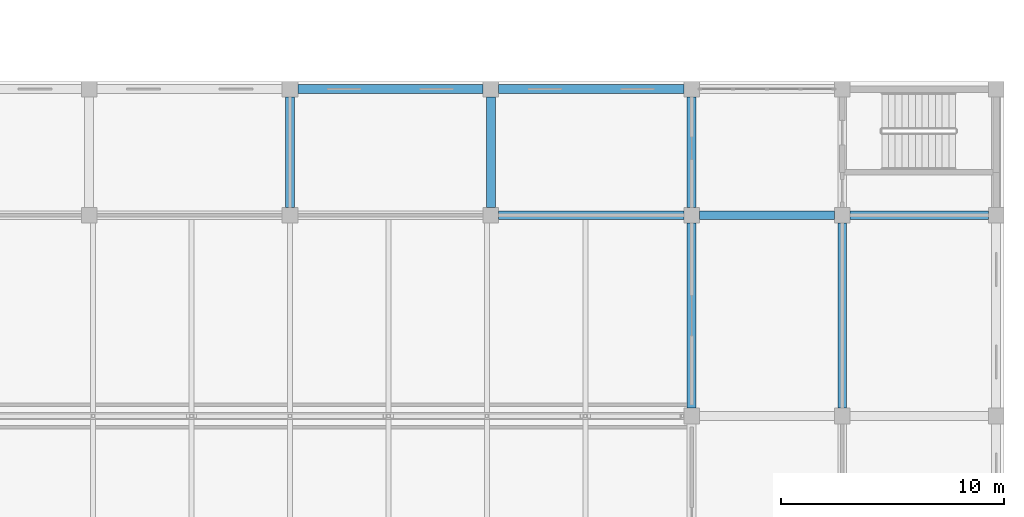
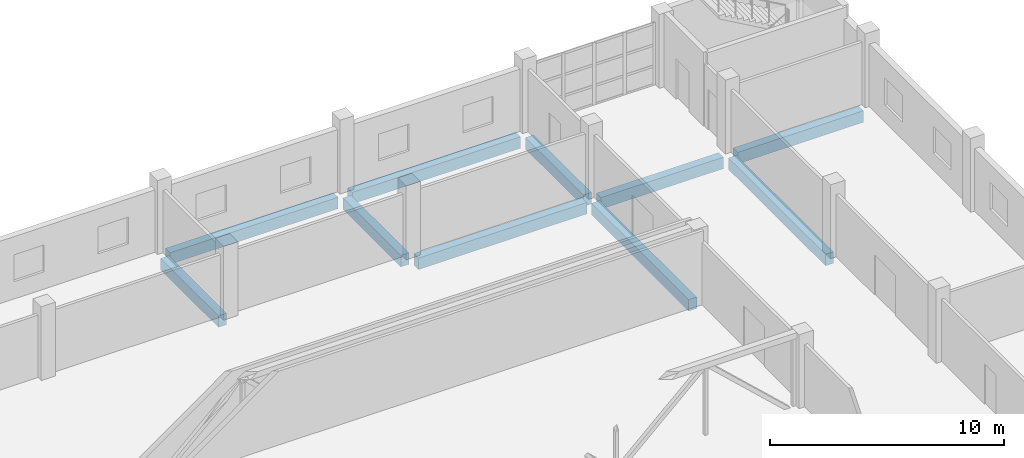
# One storey, part 21 of 42: 10 beams.
"""IFC4 building model written with IfcOpenShell, lengths in metres."""

from ifc_helpers import new_model, si_unit, direction, frame, origin, origin_2d, place, context, subcontext, project, spatial, rectangle, extrude, material, material_profile, profile_set, type_object, element, save


model = new_model("IFC4")

# Units and contexts
model_context = context("Model", 3, precision=1e-05, world=origin(), true_north=direction((0.0, 1.0)))
body_context = subcontext(model_context, "Body", "Model", "MODEL_VIEW")
ifc_project = project(units=[si_unit("LENGTHUNIT", "METRE"), si_unit("AREAUNIT", "SQUARE_METRE"), si_unit("VOLUMEUNIT", "CUBIC_METRE"), si_unit("PLANEANGLEUNIT", "RADIAN"), si_unit("MASSUNIT", "GRAM", prefix="KILO")], contexts=[model_context])

# Site, building, storey
site_placement = place(None, origin())
site = spatial("IfcSite", under=ifc_project, at=site_placement, CompositionType="ELEMENT")
building_placement = place(site_placement, origin())
building = spatial("IfcBuilding", under=site, at=building_placement, Name="Corbel Stack Research Tower", CompositionType="ELEMENT")
storey_placement = place(building_placement, frame((0.0, 0.0, 11.300048828125)))
storey = spatial("IfcBuildingStorey", under=building, at=storey_placement, Name="L02", CompositionType="ELEMENT", Elevation=11.300048828125)

# Beams
ifc_material = material(Name="Concrete C40/50", Category="concrete")
ifc_material_profile = material_profile(ifc_material, rectangle(XDim=0.39990234375, YDim=0.60009765625, at=origin_2d()), Name="RC 400 x 600")
ifc_profile_set = profile_set([ifc_material_profile], Name="Concrete C40/50")
beam_type = type_object("IfcBeamType", Name="HB1 RC beam 400 x 600", PredefinedType="BEAM", material=ifc_profile_set)
beam_1_placement = place(storey_placement, frame((68.949951171875, 18.35009765625, -0.550048828125), z_axis=(0.0, 1.0, 0.0), x_axis=(-1.0, 0.0, 0.0)))
element("IfcBeam", 1, at=beam_1_placement, inside=storey, type_object=beam_type, Name="Floor beam L02 H5HF-H5HG", PredefinedType="BEAM", context=body_context, shape_type="SweptSolid", body=[
    extrude(rectangle(XDim=0.39990234375, YDim=0.60009765625, at=origin_2d()), origin(), (0.0, 0.0, 1.0), 4.949951171875),
])
for number, where, z_axis, x_axis, name in (
    (2, (69.300048828125, 23.64990234375, -0.550048828125), (1.0, 0.0, 0.0), (0.0, 1.0, 0.0), "Floor beam L02 H5HG-H6HG"),
    (3, (78.300048828125, 18.0, -0.550048828125), (1.0, 0.0, 0.0), (0.0, 1.0, 0.0), "Floor beam L02 H6HF-H7HF"),
):
    element("IfcBeam", number, at=place(storey_placement, frame(where, z_axis=z_axis, x_axis=x_axis)), inside=storey, type_object=beam_type, Name=name, PredefinedType="BEAM", context=body_context, shape_type="SweptSolid", body=[
        extrude(rectangle(XDim=0.39990234375, YDim=0.60009765625, at=origin_2d()), origin(), (0.0, 0.0, 1.0), 8.300048828125),
    ])
beam_2_placement = place(storey_placement, frame((77.949951171875, 18.35009765625, -0.550048828125), z_axis=(0.0, 1.0, 0.0), x_axis=(-1.0, 0.0, 0.0)))
element("IfcBeam", 4, at=beam_2_placement, inside=storey, type_object=beam_type, Name="Floor beam L02 H6HF-H6HG", PredefinedType="BEAM", context=body_context, shape_type="SweptSolid", body=[
    extrude(rectangle(XDim=0.39990234375, YDim=0.60009765625, at=origin_2d()), origin(), (0.0, 0.0, 1.0), 4.949951171875),
])
beam_3_placement = place(storey_placement, frame((78.300048828125, 23.64990234375, -0.550048828125), z_axis=(1.0, 0.0, 0.0), x_axis=(0.0, 1.0, 0.0)))
element("IfcBeam", 5, at=beam_3_placement, inside=storey, type_object=beam_type, Name="Floor beam L02 H6HG-H7HG", PredefinedType="BEAM", context=body_context, shape_type="SweptSolid", body=[
    extrude(rectangle(XDim=0.39990234375, YDim=0.60009765625, at=origin_2d()), origin(), (0.0, 0.0, 1.0), 8.300048828125),
])
beam_4_placement = place(storey_placement, frame((86.949951171875, 9.35009765625, -0.550048828125), z_axis=(0.0, 1.0, 0.0), x_axis=(-1.0, 0.0, 0.0)))
element("IfcBeam", 6, at=beam_4_placement, inside=storey, type_object=beam_type, Name="Floor beam L02 H7HE-H7HF", PredefinedType="BEAM", context=body_context, shape_type="SweptSolid", body=[
    extrude(rectangle(XDim=0.39990234375, YDim=0.60009765625, at=origin_2d()), origin(), (0.0, 0.0, 1.0), 8.2998046875),
])
beam_5_placement = place(storey_placement, frame((87.300048828125, 18.0, -0.550048828125), z_axis=(1.0, 0.0, 0.0), x_axis=(0.0, 1.0, 0.0)))
element("IfcBeam", 7, at=beam_5_placement, inside=storey, type_object=beam_type, Name="Floor beam L02 H7HF-H8HF", PredefinedType="BEAM", context=body_context, shape_type="SweptSolid", body=[
    extrude(rectangle(XDim=0.39990234375, YDim=0.60009765625, at=origin_2d()), origin(), (0.0, 0.0, 1.0), 6.050048828125),
])
beam_6_placement = place(storey_placement, frame((86.949951171875, 18.35009765625, -0.550048828125), z_axis=(0.0, 1.0, 0.0), x_axis=(-1.0, 0.0, 0.0)))
element("IfcBeam", 8, at=beam_6_placement, inside=storey, type_object=beam_type, Name="Floor beam L02 H7HF-H7HG", PredefinedType="BEAM", context=body_context, shape_type="SweptSolid", body=[
    extrude(rectangle(XDim=0.39990234375, YDim=0.60009765625, at=origin_2d()), origin(), (0.0, 0.0, 1.0), 4.949951171875),
])
beam_7_placement = place(storey_placement, frame((93.699951171875, 9.35009765625, -0.550048828125), z_axis=(0.0, 1.0, 0.0), x_axis=(-1.0, 0.0, 0.0)))
element("IfcBeam", 9, at=beam_7_placement, inside=storey, type_object=beam_type, Name="Floor beam L02 H8HE-H8HF", PredefinedType="BEAM", context=body_context, shape_type="SweptSolid", body=[
    extrude(rectangle(XDim=0.39990234375, YDim=0.60009765625, at=origin_2d()), origin(), (0.0, 0.0, 1.0), 8.2998046875),
])
beam_8_placement = place(storey_placement, frame((94.050048828125, 18.0, -0.550048828125), z_axis=(1.0, 0.0, 0.0), x_axis=(0.0, 1.0, 0.0)))
element("IfcBeam", 10, at=beam_8_placement, inside=storey, type_object=beam_type, Name="Floor beam L02 H8HF-H9HF", PredefinedType="BEAM", context=body_context, shape_type="SweptSolid", body=[
    extrude(rectangle(XDim=0.39990234375, YDim=0.60009765625, at=origin_2d()), origin(), (0.0, 0.0, 1.0), 6.199951171875),
])

save(model, "model.ifc")
